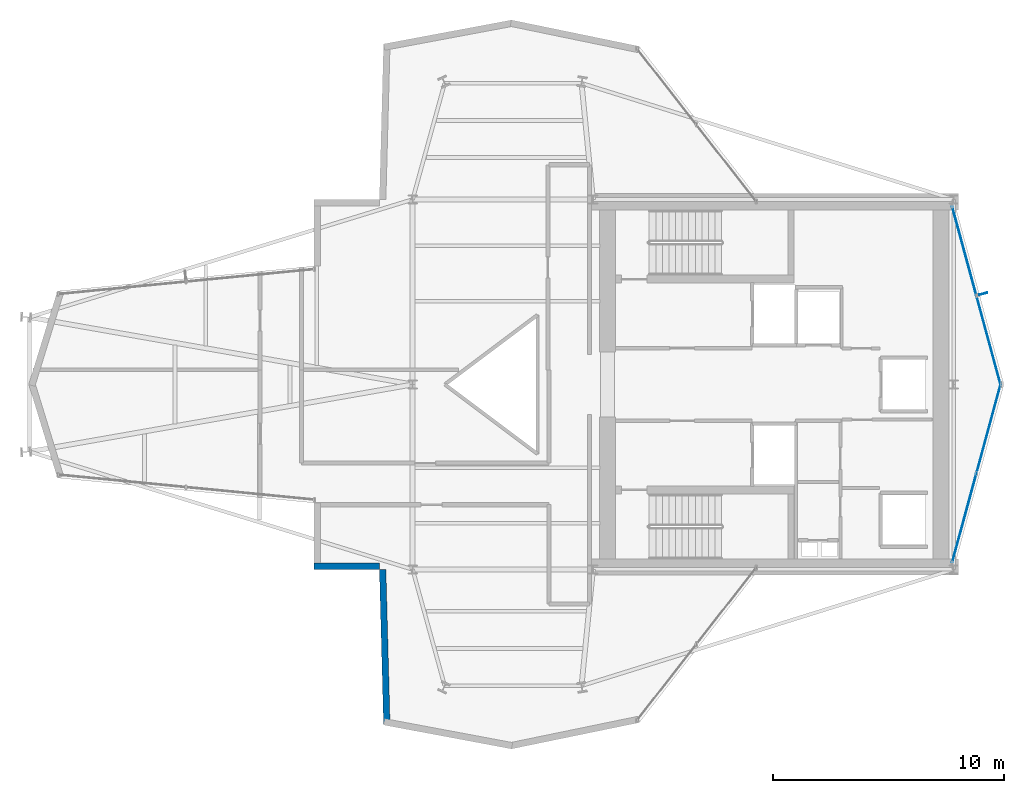
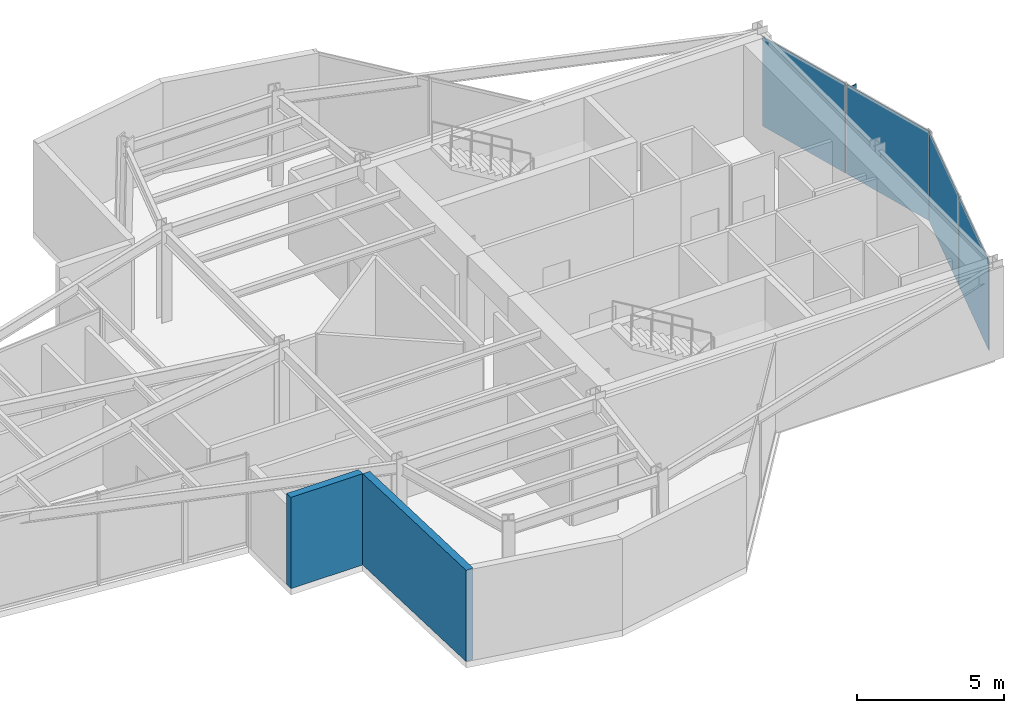
# One storey, part 17 of 20: 5 plates, 2 walls, 2 elements without a shape of their own.
"""IFC4 building model written with IfcOpenShell, lengths in metres."""

from ifc_helpers import new_model, si_unit, direction, frame, frame_2d, origin, origin_2d, place, context, subcontext, project, spatial, rectangle, extrude, material, layer, layer_set, type_object, element, aggregate, save


model = new_model("IFC4")

# Units and contexts
model_context = context("Model", 3, precision=1e-05, world=origin(), true_north=direction((0.0, 1.0)))
body_context = subcontext(model_context, "Body", "Model", "MODEL_VIEW")
ifc_project = project(units=[si_unit("LENGTHUNIT", "METRE"), si_unit("AREAUNIT", "SQUARE_METRE"), si_unit("VOLUMEUNIT", "CUBIC_METRE"), si_unit("PLANEANGLEUNIT", "RADIAN"), si_unit("MASSUNIT", "GRAM", prefix="KILO")], contexts=[model_context])

# Site, building, storey
site_placement = place(None, origin())
site = spatial("IfcSite", under=ifc_project, at=site_placement, CompositionType="ELEMENT")
building_placement = place(site_placement, origin())
building = spatial("IfcBuilding", under=site, at=building_placement, Name="Veymaron Broadcast Tower", CompositionType="ELEMENT")
storey_placement = place(building_placement, frame((0.0, 0.0, 248.550048828125)))
storey = spatial("IfcBuildingStorey", under=building, at=storey_placement, Name="L58", CompositionType="ELEMENT", Elevation=248.550048828125)

# Curtain wall, plates
ifc_material_1 = material(Name="Anodised aluminium AA 6063-T6 and laminated low-E dark glass", Category="aluminium")
ifc_layer_1 = layer(ifc_material_1, 0.179931640625)
ifc_layer_set_1 = layer_set([ifc_layer_1], Name="Anodised aluminium AA 6063-T6 and laminated low-E dark glass")
curtain_wall_type = type_object("IfcCurtainWallType", Name="CW-SYS-05", PredefinedType="NOTDEFINED", material=ifc_layer_set_1)
curtain_wall_1_placement = place(storey_placement, origin())
curtain_wall_1 = element("IfcCurtainWall", 1, at=curtain_wall_1_placement, inside=storey, type_object=curtain_wall_type, Name="L58 dark-glass curtain wall CW-L58-E2-1", PredefinedType="NOTDEFINED")
ifc_material_2 = material(Name="Double-silver solar-control dark glass IGU 32 mm", Category="glass")
ifc_layer_2 = layer(ifc_material_2, 0.031982421875)
ifc_layer_set_2 = layer_set([ifc_layer_2], Name="Double-silver solar-control dark glass IGU 32 mm")
plate_type_1 = type_object("IfcPlateType", Name="CW-PNL-02", PredefinedType="CURTAIN_PANEL", material=ifc_layer_set_2)
plate_1_placement = place(storey_placement, frame((55.05810546875, 18.218017578125, 0.0400390625), z_axis=(0.0, 0.0, 1.0), x_axis=(0.262424968824, 0.964952400763, 0.0)))
plate_1 = element("IfcPlate", 2, at=plate_1_placement, type_object=plate_type_1, Name="CW-L58-E2-1 unitised curtain panel 0", PredefinedType="CURTAIN_PANEL", context=body_context, shape_type="SweptSolid", body=[
    extrude(rectangle(XDim=3.9599609375, YDim=0.031982421875, at=origin_2d()), origin(), (0.0, 0.0, 1.0), 3.7099609375),
])
plate_2_placement = place(storey_placement, frame((56.113037109375, 22.09716796875, 0.0400390625), z_axis=(0.0, 0.0, 1.0), x_axis=(0.262424968824, 0.964952400763, 0.0)))
plate_2 = element("IfcPlate", 3, at=plate_2_placement, type_object=plate_type_1, Name="CW-L58-E2-1 unitised curtain panel 1", PredefinedType="CURTAIN_PANEL", context=body_context, shape_type="SweptSolid", body=[
    extrude(rectangle(XDim=3.9599609375, YDim=0.031982421875, at=origin_2d()), origin(), (0.0, 0.0, 1.0), 3.7099609375),
])
aggregate(curtain_wall_1, [plate_1, plate_2])

curtain_wall_2_placement = place(storey_placement, origin())
curtain_wall_2 = element("IfcCurtainWall", 4, at=curtain_wall_2_placement, inside=storey, type_object=curtain_wall_type, Name="L58 dark-glass curtain wall CW-L58-E3-1", PredefinedType="NOTDEFINED")
plate_3_placement = place(storey_placement, frame((56.113037109375, 25.90283203125, 0.0400390625), z_axis=(0.0, 0.0, 1.0), x_axis=(-0.262424968824, 0.964952400763, 0.0)))
plate_3 = element("IfcPlate", 5, at=plate_3_placement, type_object=plate_type_1, Name="CW-L58-E3-1 unitised curtain panel 0", PredefinedType="CURTAIN_PANEL", context=body_context, shape_type="SweptSolid", body=[
    extrude(rectangle(XDim=3.9599609375, YDim=0.031982421875, at=origin_2d()), origin(), (0.0, 0.0, 1.0), 3.7099609375),
])
plate_4_placement = place(storey_placement, frame((55.05810546875, 29.781982421875, 0.0400390625), z_axis=(0.0, 0.0, 1.0), x_axis=(-0.262424968824, 0.964952400763, 0.0)))
plate_4 = element("IfcPlate", 6, at=plate_4_placement, type_object=plate_type_1, Name="CW-L58-E3-1 unitised curtain panel 1", PredefinedType="CURTAIN_PANEL", context=body_context, shape_type="SweptSolid", body=[
    extrude(rectangle(XDim=3.9599609375, YDim=0.031982421875, at=origin_2d()), origin(), (0.0, 0.0, 1.0), 3.7099609375),
])
aggregate(curtain_wall_2, [plate_3, plate_4])

# Plate
ifc_material_3 = material(Name="Dark-anodised aluminium AA 6061-T6", Category="aluminium")
ifc_layer_3 = layer(ifc_material_3, 0.030029296875)
ifc_layer_set_3 = layer_set([ifc_layer_3], Name="Dark-anodised aluminium AA 6061-T6")
plate_type_2 = type_object("IfcPlateType", Name="FIN-CHEV-02", PredefinedType="USERDEFINED", material=ifc_layer_set_3)
plate_5_placement = place(storey_placement, frame((55.8798828125, 27.92236328125, 0.26513671875), z_axis=(0.0, 0.0, 1.0), x_axis=(0.964952400763, 0.262424968824, 0.0)))
element("IfcPlate", 7, at=plate_5_placement, inside=storey, type_object=plate_type_2, Name="CW-L58-E3-1 chevron fin 1", ObjectType="FIN", PredefinedType="USERDEFINED", context=body_context, shape_type="SweptSolid", body=[
    extrude(rectangle(XDim=0.35009765625, YDim=0.034912109375, at=origin_2d()), origin(), (0.0, 0.0, 1.0), 3.259521484375),
])

# Walls
ifc_material_4 = material(Name="Precast concrete C40/50", Category="concrete")
ifc_layer_4 = layer(ifc_material_4, 0.280029296875)
ifc_layer_set_4 = layer_set([ifc_layer_4], Name="Precast concrete C40/50")
wall_type = type_object("IfcWallType", Name="WALL-EXT-280", PredefinedType="STANDARD", material=ifc_layer_set_4)
wall_1_placement = place(storey_placement, frame((26.9423828125, 16.139892578125, 0.0), z_axis=(0.0, 0.0, 1.0), x_axis=(1.0, 0.0, 0.0)))
element("IfcWall", 8, at=wall_1_placement, inside=storey, type_object=wall_type, Name="L58 notched corner facade pier 16-1", PredefinedType="STANDARD", context=body_context, shape_type="SweptSolid", body=[
    extrude(rectangle(XDim=2.821533203125, YDim=0.280029296875, at=frame_2d((1.41064453125, 0.0))), origin(), (0.0, 0.0, 1.0), 3.7900390625),
])
wall_2_placement = place(storey_placement, frame((29.90380859375, 16.003662109375, 0.0), z_axis=(0.0, 0.0, 1.0), x_axis=(0.026702629768, -0.999643421208, 0.0)))
element("IfcWall", 9, at=wall_2_placement, inside=storey, type_object=wall_type, Name="L58 notched corner facade pier 17-1", PredefinedType="STANDARD", context=body_context, shape_type="SweptSolid", body=[
    extrude(rectangle(XDim=6.729248046875, YDim=0.280029296875, at=frame_2d((3.36474609375, 0.0))), origin(), (0.0, 0.0, 1.0), 3.7900390625),
])

save(model, "model.ifc")
